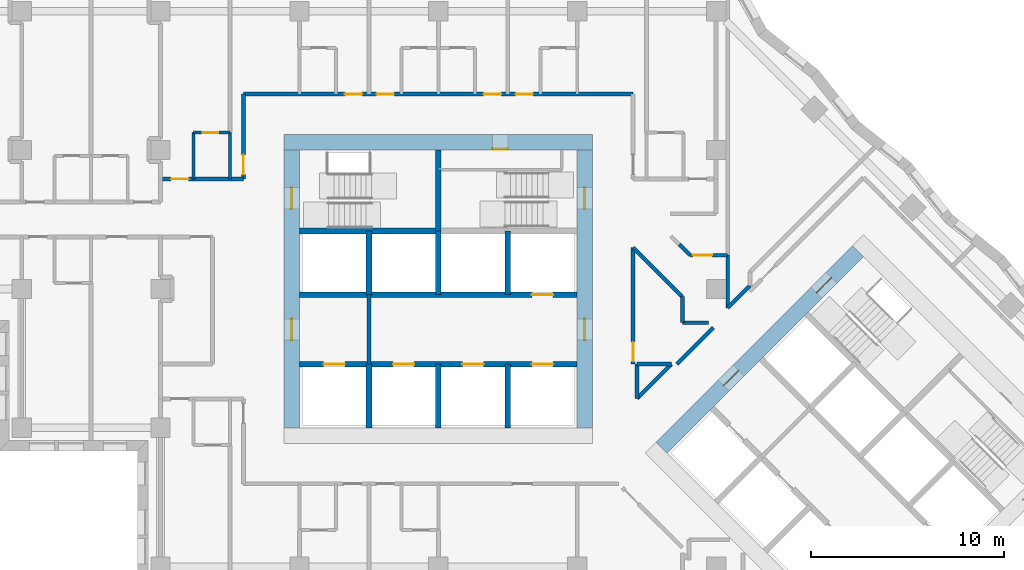
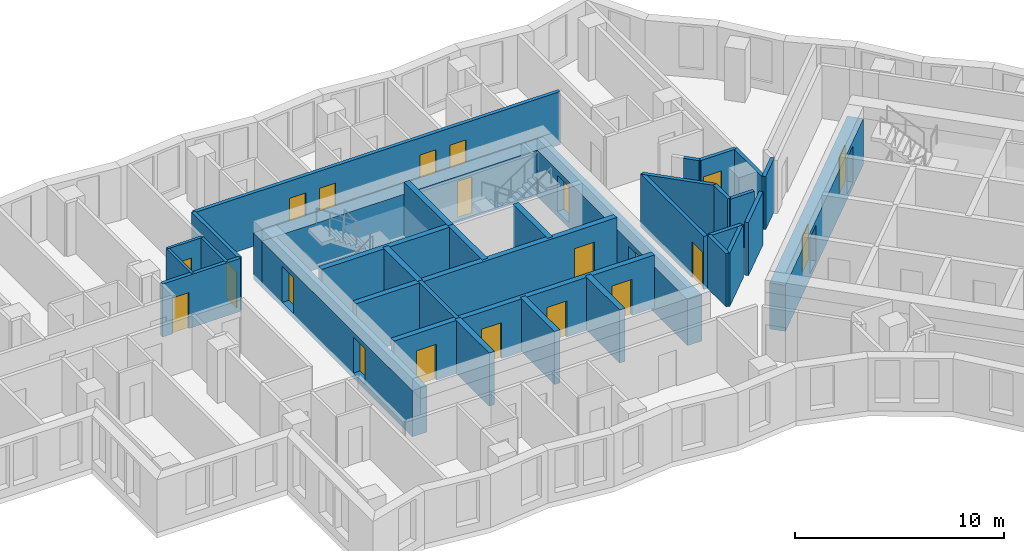
# One storey, part 6 of 13: 33 walls, 21 doors, 21 openings.
"""IFC4 building model written with IfcOpenShell, lengths in metres."""

from ifc_helpers import new_model, si_unit, direction, frame, frame_2d, origin, place, context, subcontext, project, spatial, rectangle, extrude, material, layer, layer_set, type_object, element, fill, save


model = new_model("IFC4")

# Units and contexts
model_context = context("Model", 3, precision=1e-05, world=origin(), true_north=direction((0.0, 1.0)))
body_context = subcontext(model_context, "Body", "Model", "MODEL_VIEW")
ifc_project = project(units=[si_unit("LENGTHUNIT", "METRE"), si_unit("AREAUNIT", "SQUARE_METRE"), si_unit("VOLUMEUNIT", "CUBIC_METRE"), si_unit("PLANEANGLEUNIT", "RADIAN"), si_unit("MASSUNIT", "GRAM", prefix="KILO")], contexts=[model_context])

# Site, building, storey
site_placement = place(None, origin())
site = spatial("IfcSite", under=ifc_project, at=site_placement, CompositionType="ELEMENT")
building_placement = place(site_placement, origin())
building = spatial("IfcBuilding", under=site, at=building_placement, Name="Windrow Commons", CompositionType="ELEMENT")
storey_placement = place(building_placement, frame((0.0, 0.0, 91.4)))
storey = spatial("IfcBuildingStorey", under=building, at=storey_placement, Name="L24", CompositionType="ELEMENT", Elevation=91.4)

# Wall
ifc_material_1 = material(Name="Blockwork partition", Category="masonry")
ifc_layer_1 = layer(ifc_material_1, 0.2)
ifc_layer_set_1 = layer_set([ifc_layer_1], Name="Fire lobby partition 200")
wall_type_1 = type_object("IfcWallType", Name="Fire lobby partition 200", PredefinedType="PARTITIONING", material=ifc_layer_set_1)
wall_1_placement = place(storey_placement, frame((61.2, 53.7, 0.0), z_axis=(0.0, 0.0, 1.0), x_axis=(0.0, 1.0, 0.0)))
element("IfcWall", 1, at=wall_1_placement, inside=storey, type_object=wall_type_1, Name="W-core-lobby-A-L24", PredefinedType="PARTITIONING", context=body_context, shape_type="SweptSolid", body=[
    extrude(rectangle(XDim=3.6, YDim=0.2, at=frame_2d((1.8, 0.0))), origin(), (0.0, 0.0, 1.0), 3.1),
])

# Wall, openings, doors
ifc_material_2 = material(Name="Blockwork partition", Category="masonry")
ifc_layer_2 = layer(ifc_material_2, 0.2)
ifc_layer_set_2 = layer_set([ifc_layer_2], Name="IW-CORRIDOR-200")
wall_type_2 = type_object("IfcWallType", Name="IW-CORRIDOR-200", PredefinedType="PARTITIONING", material=ifc_layer_set_2)
wall_2_placement = place(storey_placement, frame((54.7, 67.7, 0.0), z_axis=(0.0, 0.0, 1.0), x_axis=(1.0, 0.0, 0.0)))
wall_2 = element("IfcWall", 2, at=wall_2_placement, inside=storey, type_object=wall_type_2, Name="W-L24-W001", PredefinedType="PARTITIONING", context=body_context, shape_type="SweptSolid", body=[
    extrude(rectangle(XDim=20.2, YDim=0.2, at=frame_2d((10.1, 0.0))), origin(), (0.0, 0.0, 1.0), 3.1),
])
opening_1_placement = place(wall_2_placement, frame((5.25, 0.0, 0.0)))
opening_1 = element("IfcOpeningElement", 3, at=opening_1_placement, cuts=wall_2, Name="Opening D109S", PredefinedType="OPENING", context=body_context, shape_type="SweptSolid", body=[
    extrude(rectangle(XDim=0.9, YDim=2.1, at=frame_2d((0.45, 1.05))), frame((0.0, 0.11, 0.0), z_axis=(0.0, -1.0, 0.0), x_axis=(1.0, 0.0, 0.0)), (0.0, 0.0, 1.0), 0.22),
])
opening_2_placement = place(wall_2_placement, frame((6.9, 0.0, 0.0)))
opening_2 = element("IfcOpeningElement", 4, at=opening_2_placement, cuts=wall_2, Name="Opening D109S", PredefinedType="OPENING", context=body_context, shape_type="SweptSolid", body=[
    extrude(rectangle(XDim=0.9, YDim=2.1, at=frame_2d((0.45, 1.05))), frame((0.0, 0.11, 0.0), z_axis=(0.0, -1.0, 0.0), x_axis=(1.0, 0.0, 0.0)), (0.0, 0.0, 1.0), 0.22),
])
opening_3_placement = place(wall_2_placement, frame((12.45, 0.0, 0.0)))
opening_3 = element("IfcOpeningElement", 5, at=opening_3_placement, cuts=wall_2, Name="Opening D109S", PredefinedType="OPENING", context=body_context, shape_type="SweptSolid", body=[
    extrude(rectangle(XDim=0.9, YDim=2.1, at=frame_2d((0.45, 1.05))), frame((0.0, 0.11, 0.0), z_axis=(0.0, -1.0, 0.0), x_axis=(1.0, 0.0, 0.0)), (0.0, 0.0, 1.0), 0.22),
])
opening_4_placement = place(wall_2_placement, frame((14.1, 0.0, 0.0)))
opening_4 = element("IfcOpeningElement", 6, at=opening_4_placement, cuts=wall_2, Name="Opening D109S", PredefinedType="OPENING", context=body_context, shape_type="SweptSolid", body=[
    extrude(rectangle(XDim=0.9, YDim=2.1, at=frame_2d((0.45, 1.05))), frame((0.0, 0.11, 0.0), z_axis=(0.0, -1.0, 0.0), x_axis=(1.0, 0.0, 0.0)), (0.0, 0.0, 1.0), 0.22),
])
ifc_material_3 = material(Name="Timber door leaf", Category="wood")
door_type_1 = type_object("IfcDoorType", Name="DT-BEDROOM-900", OperationType="SINGLE_SWING_LEFT", PredefinedType="DOOR", material=ifc_material_3)
door_1_placement = place(opening_1_placement, origin())
door_1 = element("IfcDoor", 7, at=door_1_placement, inside=storey, type_object=door_type_1, Name="D-L24-D029", OperationType="SINGLE_SWING_RIGHT", OverallHeight=2.1, OverallWidth=0.9, PredefinedType="DOOR", context=body_context, shape_type="SweptSolid", body=[
    extrude(rectangle(XDim=0.9, YDim=2.1, at=frame_2d((0.45, 1.05))), frame((0.0, 0.025, 0.0), z_axis=(0.0, -1.0, 0.0), x_axis=(1.0, 0.0, 0.0)), (0.0, 0.0, 1.0), 0.05),
])
fill(opening_1, door_1)
door_2_placement = place(opening_2_placement, origin())
door_2 = element("IfcDoor", 8, at=door_2_placement, inside=storey, type_object=door_type_1, Name="D-L24-D031", OperationType="SINGLE_SWING_LEFT", OverallHeight=2.1, OverallWidth=0.9, PredefinedType="DOOR", context=body_context, shape_type="SweptSolid", body=[
    extrude(rectangle(XDim=0.9, YDim=2.1, at=frame_2d((0.45, 1.05))), frame((0.0, 0.025, 0.0), z_axis=(0.0, -1.0, 0.0), x_axis=(1.0, 0.0, 0.0)), (0.0, 0.0, 1.0), 0.05),
])
fill(opening_2, door_2)
door_3_placement = place(opening_3_placement, origin())
door_3 = element("IfcDoor", 9, at=door_3_placement, inside=storey, type_object=door_type_1, Name="D-L24-D033", OperationType="SINGLE_SWING_RIGHT", OverallHeight=2.1, OverallWidth=0.9, PredefinedType="DOOR", context=body_context, shape_type="SweptSolid", body=[
    extrude(rectangle(XDim=0.9, YDim=2.1, at=frame_2d((0.45, 1.05))), frame((0.0, 0.025, 0.0), z_axis=(0.0, -1.0, 0.0), x_axis=(1.0, 0.0, 0.0)), (0.0, 0.0, 1.0), 0.05),
])
fill(opening_3, door_3)
door_4_placement = place(opening_4_placement, origin())
door_4 = element("IfcDoor", 10, at=door_4_placement, inside=storey, type_object=door_type_1, Name="D-L24-D035", OperationType="SINGLE_SWING_LEFT", OverallHeight=2.1, OverallWidth=0.9, PredefinedType="DOOR", context=body_context, shape_type="SweptSolid", body=[
    extrude(rectangle(XDim=0.9, YDim=2.1, at=frame_2d((0.45, 1.05))), frame((0.0, 0.025, 0.0), z_axis=(0.0, -1.0, 0.0), x_axis=(1.0, 0.0, 0.0)), (0.0, 0.0, 1.0), 0.05),
])
fill(opening_4, door_4)

# Wall, opening, door
wall_3_placement = place(storey_placement, frame((74.9, 53.7, 0.0), z_axis=(0.0, 0.0, 1.0), x_axis=(0.0, 1.0, 0.0)))
wall_3 = element("IfcWall", 11, at=wall_3_placement, inside=storey, type_object=wall_type_2, Name="W-L24-W032", PredefinedType="PARTITIONING", context=body_context, shape_type="SweptSolid", body=[
    extrude(rectangle(XDim=6.052, YDim=0.2, at=frame_2d((3.026, 0.0))), origin(), (0.0, 0.0, 1.0), 3.1),
])
opening_5_placement = place(wall_3_placement, frame((0.142, 0.0, 0.0)))
opening_5 = element("IfcOpeningElement", 12, at=opening_5_placement, cuts=wall_3, Name="Opening D310F", PredefinedType="OPENING", context=body_context, shape_type="SweptSolid", body=[
    extrude(rectangle(XDim=1.0, YDim=2.1, at=frame_2d((0.5, 1.05))), frame((0.0, 0.11, 0.0), z_axis=(0.0, -1.0, 0.0), x_axis=(1.0, 0.0, 0.0)), (0.0, 0.0, 1.0), 0.22),
])
ifc_material_4 = material(Name="Timber door leaf", Category="wood")
door_type_2 = type_object("IfcDoorType", Name="DT-AMENITY-1000", OperationType="SINGLE_SWING_LEFT", PredefinedType="DOOR", material=ifc_material_4)
door_5_placement = place(opening_5_placement, origin())
door_5 = element("IfcDoor", 13, at=door_5_placement, inside=storey, type_object=door_type_2, Name="D-L24-D000", OperationType="SINGLE_SWING_LEFT", OverallHeight=2.1, OverallWidth=1.0, PredefinedType="DOOR", context=body_context, shape_type="SweptSolid", body=[
    extrude(rectangle(XDim=1.0, YDim=2.1, at=frame_2d((0.5, 1.05))), frame((0.0, 0.025, 0.0), z_axis=(0.0, -1.0, 0.0), x_axis=(1.0, 0.0, 0.0)), (0.0, 0.0, 1.0), 0.05),
])
fill(opening_5, door_5)

wall_4_placement = place(storey_placement, frame((54.7, 63.302, 0.0), z_axis=(0.0, 0.0, 1.0), x_axis=(0.0, 1.0, 0.0)))
wall_4 = element("IfcWall", 14, at=wall_4_placement, inside=storey, type_object=wall_type_2, Name="W-L24-W047", PredefinedType="PARTITIONING", context=body_context, shape_type="SweptSolid", body=[
    extrude(rectangle(XDim=4.398, YDim=0.2, at=frame_2d((2.199, 0.0))), origin(), (0.0, 0.0, 1.0), 3.1),
])
opening_6_placement = place(wall_4_placement, frame((0.2417, 0.0, 0.0)))
opening_6 = element("IfcOpeningElement", 15, at=opening_6_placement, cuts=wall_4, Name="Opening D310F", PredefinedType="OPENING", context=body_context, shape_type="SweptSolid", body=[
    extrude(rectangle(XDim=1.0, YDim=2.1, at=frame_2d((0.5, 1.05))), frame((0.0, 0.11, 0.0), z_axis=(0.0, -1.0, 0.0), x_axis=(1.0, 0.0, 0.0)), (0.0, 0.0, 1.0), 0.22),
])
door_6_placement = place(opening_6_placement, origin())
door_6 = element("IfcDoor", 16, at=door_6_placement, inside=storey, type_object=door_type_2, Name="D-L24-D021", OperationType="SINGLE_SWING_LEFT", OverallHeight=2.1, OverallWidth=1.0, PredefinedType="DOOR", context=body_context, shape_type="SweptSolid", body=[
    extrude(rectangle(XDim=1.0, YDim=2.1, at=frame_2d((0.5, 1.05))), frame((0.0, 0.025, 0.0), z_axis=(0.0, -1.0, 0.0), x_axis=(1.0, 0.0, 0.0)), (0.0, 0.0, 1.0), 0.05),
])
fill(opening_6, door_6)

wall_5_placement = place(storey_placement, frame((50.4, 63.3, 0.0), z_axis=(0.0, 0.0, 1.0), x_axis=(1.0, 0.0, 0.0)))
wall_5 = element("IfcWall", 17, at=wall_5_placement, inside=storey, type_object=wall_type_2, Name="W-L24-W050", PredefinedType="PARTITIONING", context=body_context, shape_type="SweptSolid", body=[
    extrude(rectangle(XDim=4.3, YDim=0.2, at=frame_2d((2.15, 0.0))), origin(), (0.0, 0.0, 1.0), 3.1),
])
opening_7_placement = place(wall_5_placement, frame((0.5517, 0.0, 0.0)))
opening_7 = element("IfcOpeningElement", 18, at=opening_7_placement, cuts=wall_5, Name="Opening D109S", PredefinedType="OPENING", context=body_context, shape_type="SweptSolid", body=[
    extrude(rectangle(XDim=0.9, YDim=2.1, at=frame_2d((0.45, 1.05))), frame((0.0, 0.11, 0.0), z_axis=(0.0, -1.0, 0.0), x_axis=(1.0, 0.0, 0.0)), (0.0, 0.0, 1.0), 0.22),
])
door_7_placement = place(opening_7_placement, origin())
door_7 = element("IfcDoor", 19, at=door_7_placement, inside=storey, type_object=door_type_1, Name="D-L24-D019", OperationType="SINGLE_SWING_RIGHT", OverallHeight=2.1, OverallWidth=0.9, PredefinedType="DOOR", context=body_context, shape_type="SweptSolid", body=[
    extrude(rectangle(XDim=0.9, YDim=2.1, at=frame_2d((0.45, 1.05))), frame((0.0, 0.025, 0.0), z_axis=(0.0, -1.0, 0.0), x_axis=(1.0, 0.0, 0.0)), (0.0, 0.0, 1.0), 0.05),
])
fill(opening_7, door_7)

# Walls
wall_6_placement = place(storey_placement, frame((74.8986, 59.7486, 0.0), z_axis=(0.0, 0.0, 1.0), x_axis=(0.7071067812, -0.7071067812, 0.0)))
element("IfcWall", 20, at=wall_6_placement, inside=storey, type_object=wall_type_2, Name="W-L24-W058", PredefinedType="PARTITIONING", context=body_context, shape_type="SweptSolid", body=[
    extrude(rectangle(XDim=3.6006, YDim=0.2, at=frame_2d((1.8003, 0.0))), origin(), (0.0, 0.0, 1.0), 3.1),
])
wall_7_placement = place(storey_placement, frame((79.8, 56.622, 0.0), z_axis=(0.0, 0.0, 1.0), x_axis=(0.0, 1.0, 0.0)))
element("IfcWall", 21, at=wall_7_placement, inside=storey, type_object=wall_type_2, Name="W-L24-W065", PredefinedType="PARTITIONING", context=body_context, shape_type="SweptSolid", body=[
    extrude(rectangle(XDim=2.728, YDim=0.2, at=frame_2d((1.364, 0.0))), origin(), (0.0, 0.0, 1.0), 3.1),
])
wall_8_placement = place(storey_placement, frame((77.1629, 53.7011, 0.0), z_axis=(0.0, 0.0, 1.0), x_axis=(0.7071067812, 0.7071067812, 0.0)))
element("IfcWall", 22, at=wall_8_placement, inside=storey, type_object=wall_type_2, Name="W-L24-W068", PredefinedType="PARTITIONING", context=body_context, shape_type="SweptSolid", body=[
    extrude(rectangle(XDim=2.6785, YDim=0.2, at=frame_2d((1.3393, 0.0))), origin(), (0.0, 0.0, 1.0), 3.1),
])
wall_9_placement = place(storey_placement, frame((75.1015, 51.9225, 0.0), z_axis=(0.0, 0.0, 1.0), x_axis=(0.7071067812, 0.7071067812, 0.0)))
element("IfcWall", 23, at=wall_9_placement, inside=storey, type_object=wall_type_2, Name="W-L24-W070", PredefinedType="PARTITIONING", context=body_context, shape_type="SweptSolid", body=[
    extrude(rectangle(XDim=2.5145, YDim=0.2, at=frame_2d((1.2572, 0.0))), origin(), (0.0, 0.0, 1.0), 3.1),
])

# Wall, opening, door
wall_10_placement = place(storey_placement, frame((77.854, 59.35, 0.0), z_axis=(0.0, 0.0, 1.0), x_axis=(1.0, 0.0, 0.0)))
wall_10 = element("IfcWall", 24, at=wall_10_placement, inside=storey, type_object=wall_type_2, Name="W-L24-W130", PredefinedType="PARTITIONING", context=body_context, shape_type="SweptSolid", body=[
    extrude(rectangle(XDim=1.946, YDim=0.2, at=frame_2d((0.973, 0.0))), origin(), (0.0, 0.0, 1.0), 3.1),
])
opening_8_placement = place(wall_10_placement, frame((0.1348, 0.0, 0.0)))
opening_8 = element("IfcOpeningElement", 25, at=opening_8_placement, cuts=wall_10, Name="Opening D410F", PredefinedType="OPENING", context=body_context, shape_type="SweptSolid", body=[
    extrude(rectangle(XDim=1.0, YDim=2.1, at=frame_2d((0.5, 1.05))), frame((0.0, 0.11, 0.0), z_axis=(0.0, -1.0, 0.0), x_axis=(1.0, 0.0, 0.0)), (0.0, 0.0, 1.0), 0.22),
])
ifc_material_5 = material(Name="Timber door leaf", Category="wood")
door_type_3 = type_object("IfcDoorType", Name="DT-SERVICE-1000", OperationType="SINGLE_SWING_LEFT", PredefinedType="DOOR", material=ifc_material_5)
door_8_placement = place(opening_8_placement, origin())
door_8 = element("IfcDoor", 26, at=door_8_placement, inside=storey, type_object=door_type_3, Name="D-L24-D043", OperationType="SINGLE_SWING_LEFT", OverallHeight=2.1, OverallWidth=1.0, PredefinedType="DOOR", context=body_context, shape_type="SweptSolid", body=[
    extrude(rectangle(XDim=1.0, YDim=2.1, at=frame_2d((0.5, 1.05))), frame((0.0, 0.025, 0.0), z_axis=(0.0, -1.0, 0.0), x_axis=(1.0, 0.0, 0.0)), (0.0, 0.0, 1.0), 0.05),
])
fill(opening_8, door_8)

# Walls
wall_11_placement = place(storey_placement, frame((75.1, 51.922, 0.0), z_axis=(0.0, 0.0, 1.0), x_axis=(0.0, 1.0, 0.0)))
element("IfcWall", 27, at=wall_11_placement, inside=storey, type_object=wall_type_2, Name="W-L24-W157", PredefinedType="PARTITIONING", context=body_context, shape_type="SweptSolid", body=[
    extrude(rectangle(XDim=1.778, YDim=0.2, at=frame_2d((0.889, 0.0))), origin(), (0.0, 0.0, 1.0), 3.1),
])
wall_12_placement = place(storey_placement, frame((79.8015, 56.6225, 0.0), z_axis=(0.0, 0.0, 1.0), x_axis=(0.7071067812, 0.7071067812, 0.0)))
element("IfcWall", 28, at=wall_12_placement, inside=storey, type_object=wall_type_2, Name="W-L24-W158", PredefinedType="PARTITIONING", context=body_context, shape_type="SweptSolid", body=[
    extrude(rectangle(XDim=1.6235, YDim=0.2, at=frame_2d((0.8117, 0.0))), origin(), (0.0, 0.0, 1.0), 3.1),
])
for number, where, z_axis, x_axis, name in (
    (29, (77.45, 55.852, 0.0), (0.0, 0.0, 1.0), (0.0, 1.0, 0.0), "W-L24-W171"),
    (30, (77.452, 55.85, 0.0), (0.0, 0.0, 1.0), (1.0, 0.0, 0.0), "W-L24-W172"),
):
    element("IfcWall", number, at=place(storey_placement, frame(where, z_axis=z_axis, x_axis=x_axis)), inside=storey, type_object=wall_type_2, Name=name, PredefinedType="PARTITIONING", context=body_context, shape_type="SweptSolid", body=[
        extrude(rectangle(XDim=1.348, YDim=0.2, at=frame_2d((0.674, 0.0))), origin(), (0.0, 0.0, 1.0), 3.1),
    ])
wall_13_placement = place(storey_placement, frame((77.2891, 59.9071, 0.0), z_axis=(0.0, 0.0, 1.0), x_axis=(0.7083796976, -0.7058315692, 0.0)))
element("IfcWall", 31, at=wall_13_placement, inside=storey, type_object=wall_type_2, Name="W-L24-W187", PredefinedType="PARTITIONING", context=body_context, shape_type="SweptSolid", body=[
    extrude(rectangle(XDim=0.7849, YDim=0.2, at=frame_2d((0.3925, 0.0))), origin(), (0.0, 0.0, 1.0), 3.1),
])
ifc_material_6 = material(Name="Blockwork partition", Category="masonry")
ifc_layer_3 = layer(ifc_material_6, 0.15)
ifc_layer_set_3 = layer_set([ifc_layer_3], Name="IW-ENSUITE-150")
wall_type_3 = type_object("IfcWallType", Name="IW-ENSUITE-150", PredefinedType="PARTITIONING", material=ifc_layer_set_3)
for number, where, z_axis, x_axis, name in (
    (32, (52.1, 63.3, 0.0), (0.0, 0.0, 1.0), (0.0, 1.0, 0.0), "W-L24-W073"),
    (33, (54.0, 63.3, 0.0), (0.0, 0.0, 1.0), (0.0, 1.0, 0.0), "W-L24-W074"),
):
    element("IfcWall", number, at=place(storey_placement, frame(where, z_axis=z_axis, x_axis=x_axis)), inside=storey, type_object=wall_type_3, Name=name, PredefinedType="PARTITIONING", context=body_context, shape_type="SweptSolid", body=[
        extrude(rectangle(XDim=2.4, YDim=0.15, at=frame_2d((1.2, 0.0))), origin(), (0.0, 0.0, 1.0), 3.1),
    ])

# Wall, opening, door
wall_14_placement = place(storey_placement, frame((52.1, 65.7, 0.0), z_axis=(0.0, 0.0, 1.0), x_axis=(1.0, 0.0, 0.0)))
wall_14 = element("IfcWall", 34, at=wall_14_placement, inside=storey, type_object=wall_type_3, Name="W-L24-W140", PredefinedType="PARTITIONING", context=body_context, shape_type="SweptSolid", body=[
    extrude(rectangle(XDim=1.9, YDim=0.15, at=frame_2d((0.95, 0.0))), origin(), (0.0, 0.0, 1.0), 3.1),
])
opening_9_placement = place(wall_14_placement, frame((0.4931, 0.0, 0.0)))
opening_9 = element("IfcOpeningElement", 35, at=opening_9_placement, cuts=wall_14, Name="Opening D208N", PredefinedType="OPENING", context=body_context, shape_type="SweptSolid", body=[
    extrude(rectangle(XDim=0.8, YDim=2.1, at=frame_2d((0.4, 1.05))), frame((0.0, 0.085, 0.0), z_axis=(0.0, -1.0, 0.0), x_axis=(1.0, 0.0, 0.0)), (0.0, 0.0, 1.0), 0.17),
])
ifc_material_7 = material(Name="Timber door leaf", Category="wood")
door_type_4 = type_object("IfcDoorType", Name="DT-ENSUITE-800", OperationType="SINGLE_SWING_LEFT", PredefinedType="DOOR", material=ifc_material_7)
door_9_placement = place(opening_9_placement, origin())
door_9 = element("IfcDoor", 36, at=door_9_placement, inside=storey, type_object=door_type_4, Name="D-L24-D020", OperationType="SINGLE_SWING_RIGHT", OverallHeight=2.1, OverallWidth=0.8, PredefinedType="DOOR", context=body_context, shape_type="SweptSolid", body=[
    extrude(rectangle(XDim=0.8, YDim=2.1, at=frame_2d((0.4, 1.05))), frame((0.0, 0.025, 0.0), z_axis=(0.0, -1.0, 0.0), x_axis=(1.0, 0.0, 0.0)), (0.0, 0.0, 1.0), 0.05),
])
fill(opening_9, door_9)

# Wall
ifc_material_8 = material(Name="Blockwork partition", Category="masonry")
ifc_layer_4 = layer(ifc_material_8, 0.2)
ifc_layer_set_4 = layer_set([ifc_layer_4], Name="IW-PARTY-200")
wall_type_4 = type_object("IfcWallType", Name="IW-PARTY-200", PredefinedType="PARTITIONING", material=ifc_layer_set_4)
wall_15_placement = place(storey_placement, frame((75.1, 53.7, 0.0), z_axis=(0.0, 0.0, 1.0), x_axis=(1.0, 0.0, 0.0)))
element("IfcWall", 37, at=wall_15_placement, inside=storey, type_object=wall_type_4, Name="W-L24-W155", PredefinedType="PARTITIONING", context=body_context, shape_type="SweptSolid", body=[
    extrude(rectangle(XDim=1.78, YDim=0.2, at=frame_2d((0.89, 0.0))), origin(), (0.0, 0.0, 1.0), 3.1),
])

# Wall, opening, door
ifc_material_9 = material(Name="Concrete C50/60", Category="concrete")
ifc_layer_5 = layer(ifc_material_9, 0.8)
ifc_layer_set_5 = layer_set([ifc_layer_5], Name="RC CORE WALL 800 C50/60")
wall_type_5 = type_object("IfcWallType", Name="RC CORE WALL 800 C50/60", PredefinedType="SHEAR", material=ifc_layer_set_5)
wall_16_placement = place(storey_placement, frame((56.8, 65.2, -0.3), z_axis=(0.0, 0.0, 1.0), x_axis=(1.0, 0.0, 0.0)))
wall_16 = element("IfcWall", 38, at=wall_16_placement, inside=storey, type_object=wall_type_5, Name="Core A wall outer-N", PredefinedType="SHEAR", context=body_context, shape_type="SweptSolid", body=[
    extrude(rectangle(XDim=16.0, YDim=0.8, at=frame_2d((8.0, 0.0))), origin(), (0.0, 0.0, 1.0), 2.7),
])
opening_10_placement = place(wall_16_placement, frame((10.8, 0.0, 0.3)))
opening_10 = element("IfcOpeningElement", 39, at=opening_10_placement, cuts=wall_16, Name="Opening D9", PredefinedType="OPENING", context=body_context, shape_type="SweptSolid", body=[
    extrude(rectangle(XDim=0.8, YDim=2.1, at=frame_2d((0.4, 1.05))), frame((0.0, 0.41, 0.0), z_axis=(0.0, -1.0, 0.0), x_axis=(1.0, 0.0, 0.0)), (0.0, 0.0, 1.0), 0.82),
])
ifc_material_10 = material(Name="Steel fire door leaf", Category="steel")
door_type_5 = type_object("IfcDoorType", Name="Riser access door 800", OperationType="SINGLE_SWING_LEFT", PredefinedType="DOOR", material=ifc_material_10)
door_10_placement = place(opening_10_placement, origin())
door_10 = element("IfcDoor", 40, at=door_10_placement, inside=storey, type_object=door_type_5, Name="Riser access door", OperationType="SINGLE_SWING_RIGHT", OverallHeight=2.1, OverallWidth=0.8, PredefinedType="DOOR", context=body_context, shape_type="SweptSolid", body=[
    extrude(rectangle(XDim=0.8, YDim=2.1, at=frame_2d((0.4, 1.05))), frame((0.0, -0.34, 0.0), z_axis=(0.0, -1.0, 0.0), x_axis=(1.0, 0.0, 0.0)), (0.0, 0.0, 1.0), 0.05),
])
fill(opening_10, door_10)

# Wall, openings, doors
wall_17_placement = place(storey_placement, frame((57.2, 50.4, -0.3), z_axis=(0.0, 0.0, 1.0), x_axis=(0.0, 1.0, 0.0)))
wall_17 = element("IfcWall", 41, at=wall_17_placement, inside=storey, type_object=wall_type_5, Name="Core A wall outer-W", PredefinedType="SHEAR", context=body_context, shape_type="SweptSolid", body=[
    extrude(rectangle(XDim=14.4, YDim=0.8, at=frame_2d((7.2, 0.0))), origin(), (0.0, 0.0, 1.0), 2.7),
])
opening_11_placement = place(wall_17_placement, frame((4.55, 0.0, 0.3)))
opening_11 = element("IfcOpeningElement", 42, at=opening_11_placement, cuts=wall_17, Name="Opening D6", PredefinedType="OPENING", context=body_context, shape_type="SweptSolid", body=[
    extrude(rectangle(XDim=1.1, YDim=2.1, at=frame_2d((0.55, 1.05))), frame((0.0, 0.41, 0.0), z_axis=(0.0, -1.0, 0.0), x_axis=(1.0, 0.0, 0.0)), (0.0, 0.0, 1.0), 0.82),
])
opening_12_placement = place(wall_17_placement, frame((11.35, 0.0, 0.3)))
opening_12 = element("IfcOpeningElement", 43, at=opening_12_placement, cuts=wall_17, Name="Opening D7", PredefinedType="OPENING", context=body_context, shape_type="SweptSolid", body=[
    extrude(rectangle(XDim=1.1, YDim=2.1, at=frame_2d((0.55, 1.05))), frame((0.0, 0.41, 0.0), z_axis=(0.0, -1.0, 0.0), x_axis=(1.0, 0.0, 0.0)), (0.0, 0.0, 1.0), 0.82),
])
ifc_material_11 = material(Name="Steel fire door leaf", Category="steel")
door_type_6 = type_object("IfcDoorType", Name="Core lobby door 1100", OperationType="SINGLE_SWING_LEFT", PredefinedType="DOOR", material=ifc_material_11)
door_11_placement = place(opening_11_placement, origin())
door_11 = element("IfcDoor", 44, at=door_11_placement, inside=storey, type_object=door_type_6, Name="Lift lobby door", OperationType="DOUBLE_DOOR_SINGLE_SWING", OverallHeight=2.1, OverallWidth=1.1, PredefinedType="DOOR", context=body_context, shape_type="SweptSolid", body=[
    extrude(rectangle(XDim=1.1, YDim=2.1, at=frame_2d((0.55, 1.05))), frame((0.0, 0.025, 0.0), z_axis=(0.0, -1.0, 0.0), x_axis=(1.0, 0.0, 0.0)), (0.0, 0.0, 1.0), 0.05),
])
fill(opening_11, door_11)
ifc_material_12 = material(Name="Steel fire door leaf", Category="steel")
door_type_7 = type_object("IfcDoorType", Name="Stair door 1100", OperationType="SINGLE_SWING_LEFT", PredefinedType="DOOR", material=ifc_material_12)
door_12_placement = place(opening_12_placement, origin())
door_12 = element("IfcDoor", 45, at=door_12_placement, inside=storey, type_object=door_type_7, Name="Stair door", OperationType="SINGLE_SWING_LEFT", OverallHeight=2.1, OverallWidth=1.1, PredefinedType="DOOR", context=body_context, shape_type="SweptSolid", body=[
    extrude(rectangle(XDim=1.1, YDim=2.1, at=frame_2d((0.55, 1.05))), frame((0.0, 0.025, 0.0), z_axis=(0.0, -1.0, 0.0), x_axis=(1.0, 0.0, 0.0)), (0.0, 0.0, 1.0), 0.05),
])
fill(opening_12, door_12)

wall_18_placement = place(storey_placement, frame((72.4, 50.4, -0.3), z_axis=(0.0, 0.0, 1.0), x_axis=(0.0, 1.0, 0.0)))
wall_18 = element("IfcWall", 46, at=wall_18_placement, inside=storey, type_object=wall_type_5, Name="Core A wall outer-E", PredefinedType="SHEAR", context=body_context, shape_type="SweptSolid", body=[
    extrude(rectangle(XDim=14.4, YDim=0.8, at=frame_2d((7.2, 0.0))), origin(), (0.0, 0.0, 1.0), 2.7),
])
opening_13_placement = place(wall_18_placement, frame((4.55, 0.0, 0.3)))
opening_13 = element("IfcOpeningElement", 47, at=opening_13_placement, cuts=wall_18, Name="Opening D6", PredefinedType="OPENING", context=body_context, shape_type="SweptSolid", body=[
    extrude(rectangle(XDim=1.1, YDim=2.1, at=frame_2d((0.55, 1.05))), frame((0.0, 0.41, 0.0), z_axis=(0.0, -1.0, 0.0), x_axis=(1.0, 0.0, 0.0)), (0.0, 0.0, 1.0), 0.82),
])
opening_14_placement = place(wall_18_placement, frame((11.35, 0.0, 0.3)))
opening_14 = element("IfcOpeningElement", 48, at=opening_14_placement, cuts=wall_18, Name="Opening D7", PredefinedType="OPENING", context=body_context, shape_type="SweptSolid", body=[
    extrude(rectangle(XDim=1.1, YDim=2.1, at=frame_2d((0.55, 1.05))), frame((0.0, 0.41, 0.0), z_axis=(0.0, -1.0, 0.0), x_axis=(1.0, 0.0, 0.0)), (0.0, 0.0, 1.0), 0.82),
])
door_13_placement = place(opening_13_placement, origin())
door_13 = element("IfcDoor", 49, at=door_13_placement, inside=storey, type_object=door_type_6, Name="Lift lobby door", OperationType="DOUBLE_DOOR_SINGLE_SWING", OverallHeight=2.1, OverallWidth=1.1, PredefinedType="DOOR", context=body_context, shape_type="SweptSolid", body=[
    extrude(rectangle(XDim=1.1, YDim=2.1, at=frame_2d((0.55, 1.05))), frame((0.0, 0.025, 0.0), z_axis=(0.0, -1.0, 0.0), x_axis=(1.0, 0.0, 0.0)), (0.0, 0.0, 1.0), 0.05),
])
fill(opening_13, door_13)
door_14_placement = place(opening_14_placement, origin())
door_14 = element("IfcDoor", 50, at=door_14_placement, inside=storey, type_object=door_type_7, Name="Stair door", OperationType="SINGLE_SWING_RIGHT", OverallHeight=2.1, OverallWidth=1.1, PredefinedType="DOOR", context=body_context, shape_type="SweptSolid", body=[
    extrude(rectangle(XDim=1.1, YDim=2.1, at=frame_2d((0.55, 1.05))), frame((0.0, 0.025, 0.0), z_axis=(0.0, -1.0, 0.0), x_axis=(1.0, 0.0, 0.0)), (0.0, 0.0, 1.0), 0.05),
])
fill(opening_14, door_14)

wall_19_placement = place(storey_placement, frame((76.3716, 49.3726, -0.3), z_axis=(0.0, 0.0, 1.0), x_axis=(0.7071067812, 0.7071067812, 0.0)))
wall_19 = element("IfcWall", 51, at=wall_19_placement, inside=storey, type_object=wall_type_5, Name="Core B wall outer-W", PredefinedType="SHEAR", context=body_context, shape_type="SweptSolid", body=[
    extrude(rectangle(XDim=14.3999, YDim=0.8, at=frame_2d((7.2, 0.0))), origin(), (0.0, 0.0, 1.0), 2.7),
])
opening_15_placement = place(wall_19_placement, frame((4.55, 0.0, 0.3)))
opening_15 = element("IfcOpeningElement", 52, at=opening_15_placement, cuts=wall_19, Name="Opening D6", PredefinedType="OPENING", context=body_context, shape_type="SweptSolid", body=[
    extrude(rectangle(XDim=1.1, YDim=2.1, at=frame_2d((0.55, 1.05))), frame((0.0, 0.41, 0.0), z_axis=(0.0, -1.0, 0.0), x_axis=(1.0, 0.0, 0.0)), (0.0, 0.0, 1.0), 0.82),
])
opening_16_placement = place(wall_19_placement, frame((11.35, 0.0, 0.3)))
opening_16 = element("IfcOpeningElement", 53, at=opening_16_placement, cuts=wall_19, Name="Opening D7", PredefinedType="OPENING", context=body_context, shape_type="SweptSolid", body=[
    extrude(rectangle(XDim=1.1, YDim=2.1, at=frame_2d((0.55, 1.05))), frame((0.0, 0.41, 0.0), z_axis=(0.0, -1.0, 0.0), x_axis=(1.0, 0.0, 0.0)), (0.0, 0.0, 1.0), 0.82),
])
door_15_placement = place(opening_15_placement, origin())
door_15 = element("IfcDoor", 54, at=door_15_placement, inside=storey, type_object=door_type_6, Name="Lift lobby door", OperationType="DOUBLE_DOOR_SINGLE_SWING", OverallHeight=2.1, OverallWidth=1.1, PredefinedType="DOOR", context=body_context, shape_type="SweptSolid", body=[
    extrude(rectangle(XDim=1.1, YDim=2.1, at=frame_2d((0.55, 1.05))), frame((0.0, 0.025, 0.0), z_axis=(0.0, -1.0, 0.0), x_axis=(1.0, 0.0, 0.0)), (0.0, 0.0, 1.0), 0.05),
])
fill(opening_15, door_15)
door_16_placement = place(opening_16_placement, origin())
door_16 = element("IfcDoor", 55, at=door_16_placement, inside=storey, type_object=door_type_7, Name="Stair door", OperationType="SINGLE_SWING_LEFT", OverallHeight=2.1, OverallWidth=1.1, PredefinedType="DOOR", context=body_context, shape_type="SweptSolid", body=[
    extrude(rectangle(XDim=1.1, YDim=2.1, at=frame_2d((0.55, 1.05))), frame((0.0, 0.025, 0.0), z_axis=(0.0, -1.0, 0.0), x_axis=(1.0, 0.0, 0.0)), (0.0, 0.0, 1.0), 0.05),
])
fill(opening_16, door_16)

# Walls
ifc_material_13 = material(Name="Concrete C50/60", Category="concrete")
ifc_layer_6 = layer(ifc_material_13, 0.3)
ifc_layer_set_6 = layer_set([ifc_layer_6], Name="RC SHAFT WALL 300 C50/60")
wall_type_6 = type_object("IfcWallType", Name="RC SHAFT WALL 300 C50/60", PredefinedType="SOLIDWALL", material=ifc_layer_set_6)
for number, where, z_axis, x_axis, name in (
    (56, (61.2, 50.4, 0.0), (0.0, 0.0, 1.0), (0.0, 1.0, 0.0), "Core A wall shaft-S1"),
    (57, (61.2, 57.3, 0.0), (0.0, 0.0, 1.0), (0.0, 1.0, 0.0), "Core A wall shaft-N1"),
    (58, (64.8, 50.4, 0.0), (0.0, 0.0, 1.0), (0.0, 1.0, 0.0), "Core A wall shaft-S2"),
    (59, (64.8, 57.3, 0.0), (0.0, 0.0, 1.0), (0.0, 1.0, 0.0), "Core A wall shaft-N2"),
    (60, (68.4, 50.4, 0.0), (0.0, 0.0, 1.0), (0.0, 1.0, 0.0), "Core A wall shaft-S3"),
    (61, (68.4, 57.3, 0.0), (0.0, 0.0, 1.0), (0.0, 1.0, 0.0), "Core A wall shaft-N3"),
):
    element("IfcWall", number, at=place(storey_placement, frame(where, z_axis=z_axis, x_axis=x_axis)), inside=storey, type_object=wall_type_6, Name=name, PredefinedType="SOLIDWALL", context=body_context, shape_type="SweptSolid", body=[
        extrude(rectangle(XDim=3.3, YDim=0.3, at=frame_2d((1.65, 0.0))), origin(), (0.0, 0.0, 1.0), 3.1),
    ])

# Wall, openings, doors
wall_20_placement = place(storey_placement, frame((57.6, 53.7, 0.0), z_axis=(0.0, 0.0, 1.0), x_axis=(1.0, 0.0, 0.0)))
wall_20 = element("IfcWall", 62, at=wall_20_placement, inside=storey, type_object=wall_type_6, Name="Core A wall lobby-S", PredefinedType="SOLIDWALL", context=body_context, shape_type="SweptSolid", body=[
    extrude(rectangle(XDim=14.4, YDim=0.3, at=frame_2d((7.2, 0.0))), origin(), (0.0, 0.0, 1.0), 3.1),
])
opening_17_placement = place(wall_20_placement, frame((1.25, 0.0, 0.0)))
opening_17 = element("IfcOpeningElement", 63, at=opening_17_placement, cuts=wall_20, Name="Opening LD", PredefinedType="OPENING", context=body_context, shape_type="SweptSolid", body=[
    extrude(rectangle(XDim=1.1, YDim=2.1, at=frame_2d((0.55, 1.05))), frame((0.0, 0.16, 0.0), z_axis=(0.0, -1.0, 0.0), x_axis=(1.0, 0.0, 0.0)), (0.0, 0.0, 1.0), 0.32),
])
opening_18_placement = place(wall_20_placement, frame((4.85, 0.0, 0.0)))
opening_18 = element("IfcOpeningElement", 64, at=opening_18_placement, cuts=wall_20, Name="Opening LD", PredefinedType="OPENING", context=body_context, shape_type="SweptSolid", body=[
    extrude(rectangle(XDim=1.1, YDim=2.1, at=frame_2d((0.55, 1.05))), frame((0.0, 0.16, 0.0), z_axis=(0.0, -1.0, 0.0), x_axis=(1.0, 0.0, 0.0)), (0.0, 0.0, 1.0), 0.32),
])
opening_19_placement = place(wall_20_placement, frame((8.45, 0.0, 0.0)))
opening_19 = element("IfcOpeningElement", 65, at=opening_19_placement, cuts=wall_20, Name="Opening LD", PredefinedType="OPENING", context=body_context, shape_type="SweptSolid", body=[
    extrude(rectangle(XDim=1.1, YDim=2.1, at=frame_2d((0.55, 1.05))), frame((0.0, 0.16, 0.0), z_axis=(0.0, -1.0, 0.0), x_axis=(1.0, 0.0, 0.0)), (0.0, 0.0, 1.0), 0.32),
])
opening_20_placement = place(wall_20_placement, frame((12.05, 0.0, 0.0)))
opening_20 = element("IfcOpeningElement", 66, at=opening_20_placement, cuts=wall_20, Name="Opening LD", PredefinedType="OPENING", context=body_context, shape_type="SweptSolid", body=[
    extrude(rectangle(XDim=1.1, YDim=2.1, at=frame_2d((0.55, 1.05))), frame((0.0, 0.16, 0.0), z_axis=(0.0, -1.0, 0.0), x_axis=(1.0, 0.0, 0.0)), (0.0, 0.0, 1.0), 0.32),
])
ifc_material_14 = material(Name="Stainless steel door leaf", Category="steel")
door_type_8 = type_object("IfcDoorType", Name="Lift landing door 1100", OperationType="SLIDING_TO_LEFT", PredefinedType="DOOR", material=ifc_material_14)
door_17_placement = place(opening_17_placement, origin())
door_17 = element("IfcDoor", 67, at=door_17_placement, inside=storey, type_object=door_type_8, Name="Lift landing door", OperationType="SLIDING_TO_LEFT", OverallHeight=2.1, OverallWidth=1.1, PredefinedType="DOOR", context=body_context, shape_type="SweptSolid", body=[
    extrude(rectangle(XDim=1.1, YDim=2.1, at=frame_2d((0.55, 1.05))), frame((0.0, 0.025, 0.0), z_axis=(0.0, -1.0, 0.0), x_axis=(1.0, 0.0, 0.0)), (0.0, 0.0, 1.0), 0.05),
])
fill(opening_17, door_17)
door_18_placement = place(opening_18_placement, origin())
door_18 = element("IfcDoor", 68, at=door_18_placement, inside=storey, type_object=door_type_8, Name="Lift landing door", OperationType="SLIDING_TO_RIGHT", OverallHeight=2.1, OverallWidth=1.1, PredefinedType="DOOR", context=body_context, shape_type="SweptSolid", body=[
    extrude(rectangle(XDim=1.1, YDim=2.1, at=frame_2d((0.55, 1.05))), frame((0.0, 0.025, 0.0), z_axis=(0.0, -1.0, 0.0), x_axis=(1.0, 0.0, 0.0)), (0.0, 0.0, 1.0), 0.05),
])
fill(opening_18, door_18)
door_19_placement = place(opening_19_placement, origin())
door_19 = element("IfcDoor", 69, at=door_19_placement, inside=storey, type_object=door_type_8, Name="Lift landing door", OperationType="SLIDING_TO_LEFT", OverallHeight=2.1, OverallWidth=1.1, PredefinedType="DOOR", context=body_context, shape_type="SweptSolid", body=[
    extrude(rectangle(XDim=1.1, YDim=2.1, at=frame_2d((0.55, 1.05))), frame((0.0, 0.025, 0.0), z_axis=(0.0, -1.0, 0.0), x_axis=(1.0, 0.0, 0.0)), (0.0, 0.0, 1.0), 0.05),
])
fill(opening_19, door_19)
door_20_placement = place(opening_20_placement, origin())
door_20 = element("IfcDoor", 70, at=door_20_placement, inside=storey, type_object=door_type_8, Name="Lift landing door", OperationType="SLIDING_TO_RIGHT", OverallHeight=2.1, OverallWidth=1.1, PredefinedType="DOOR", context=body_context, shape_type="SweptSolid", body=[
    extrude(rectangle(XDim=1.1, YDim=2.1, at=frame_2d((0.55, 1.05))), frame((0.0, 0.025, 0.0), z_axis=(0.0, -1.0, 0.0), x_axis=(1.0, 0.0, 0.0)), (0.0, 0.0, 1.0), 0.05),
])
fill(opening_20, door_20)

# Wall, opening, door
wall_21_placement = place(storey_placement, frame((57.6, 57.3, 0.0), z_axis=(0.0, 0.0, 1.0), x_axis=(1.0, 0.0, 0.0)))
wall_21 = element("IfcWall", 71, at=wall_21_placement, inside=storey, type_object=wall_type_6, Name="Core A wall lobby-N", PredefinedType="SOLIDWALL", context=body_context, shape_type="SweptSolid", body=[
    extrude(rectangle(XDim=14.4, YDim=0.3, at=frame_2d((7.2, 0.0))), origin(), (0.0, 0.0, 1.0), 3.1),
])
opening_21_placement = place(wall_21_placement, frame((12.05, 0.0, 0.0)))
opening_21 = element("IfcOpeningElement", 72, at=opening_21_placement, cuts=wall_21, Name="Opening LD", PredefinedType="OPENING", context=body_context, shape_type="SweptSolid", body=[
    extrude(rectangle(XDim=1.1, YDim=2.1, at=frame_2d((0.55, 1.05))), frame((0.0, 0.16, 0.0), z_axis=(0.0, -1.0, 0.0), x_axis=(1.0, 0.0, 0.0)), (0.0, 0.0, 1.0), 0.32),
])
door_21_placement = place(opening_21_placement, origin())
door_21 = element("IfcDoor", 73, at=door_21_placement, inside=storey, type_object=door_type_8, Name="Lift landing door", OperationType="SLIDING_TO_RIGHT", OverallHeight=2.1, OverallWidth=1.1, PredefinedType="DOOR", context=body_context, shape_type="SweptSolid", body=[
    extrude(rectangle(XDim=1.1, YDim=2.1, at=frame_2d((0.55, 1.05))), frame((0.0, 0.025, 0.0), z_axis=(0.0, -1.0, 0.0), x_axis=(1.0, 0.0, 0.0)), (0.0, 0.0, 1.0), 0.05),
])
fill(opening_21, door_21)

# Walls
wall_22_placement = place(storey_placement, frame((57.6, 60.6, 0.0), z_axis=(0.0, 0.0, 1.0), x_axis=(1.0, 0.0, 0.0)))
element("IfcWall", 74, at=wall_22_placement, inside=storey, type_object=wall_type_6, Name="Core A wall stair-S", PredefinedType="SOLIDWALL", context=body_context, shape_type="SweptSolid", body=[
    extrude(rectangle(XDim=7.2, YDim=0.3, at=frame_2d((3.6, 0.0))), origin(), (0.0, 0.0, 1.0), 3.1),
])
wall_23_placement = place(storey_placement, frame((64.8, 60.6, 0.0), z_axis=(0.0, 0.0, 1.0), x_axis=(0.0, 1.0, 0.0)))
element("IfcWall", 75, at=wall_23_placement, inside=storey, type_object=wall_type_6, Name="Core A wall stair-mid", PredefinedType="SOLIDWALL", context=body_context, shape_type="SweptSolid", body=[
    extrude(rectangle(XDim=4.2, YDim=0.3, at=frame_2d((2.1, 0.0))), origin(), (0.0, 0.0, 1.0), 3.1),
])

save(model, "model.ifc")
